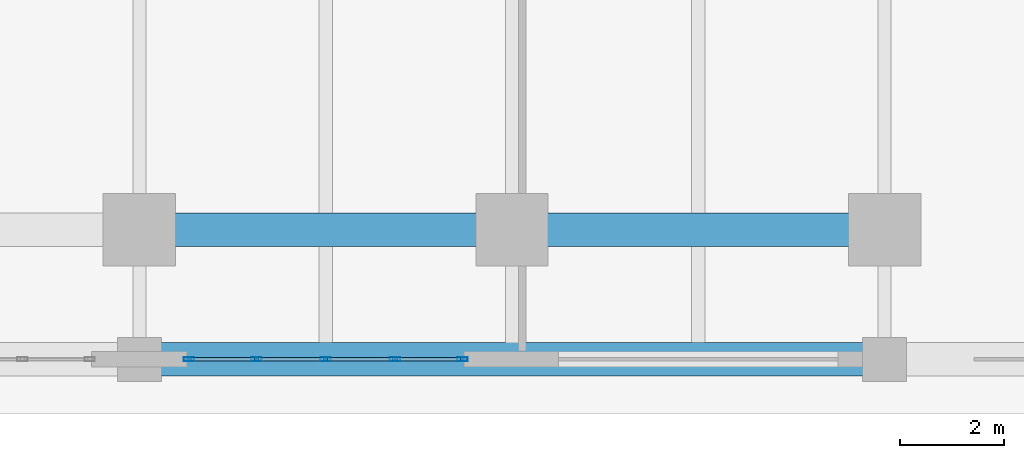
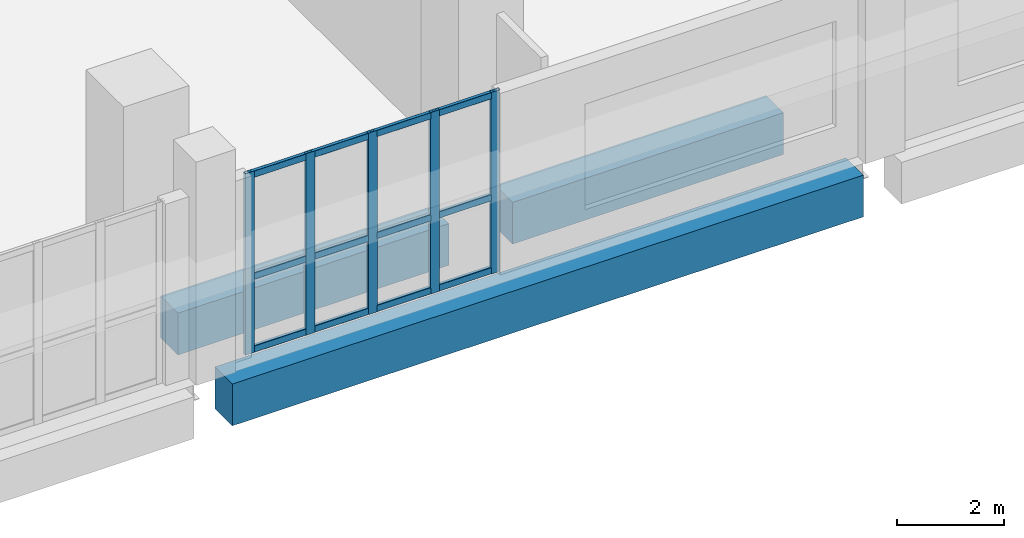
# One storey, part 13 of 25: 17 members, 3 beams, 1 element without a shape of its own.
"""IFC4 building model written with IfcOpenShell, lengths in metres."""

import ifcopenshell
import ifcopenshell.guid

model = None  # the IFC model being written
_history = None  # IfcOwnerHistory: only IFC2X3 demands one
_inside = {}  # id of a spatial element -> (the spatial element, [elements in it])
_under = {}  # id of a project, library or spatial element -> (it, [spatial elements below it])
_declared = {}  # id of a project -> (the project, [libraries it declares])
_typed = {}  # id of a type object -> (the type object, [elements of that type])
_made_of = {}  # id of a material, layer set ... -> (it, [elements and type objects made of it])


def new_model(schema):
    """Start an empty IFC model of exactly this schema.

    Asked for "IFC4X3", IfcOpenShell would pick the latest addendum, in which some entities
    have other attributes; the version numbers below select the first issue.
    IFC2X3 requires an IfcOwnerHistory on every rooted entity: one is made here for all.
    """
    global model, _history
    if schema == "IFC4X3":
        model = ifcopenshell.file(schema_version=(4, 3, 0, 0))
    else:
        model = ifcopenshell.file(schema=schema)
    _inside.clear()
    _under.clear()
    _declared.clear()
    _typed.clear()
    _made_of.clear()
    _history = None
    if model.schema == "IFC2X3":
        org = make("IfcOrganization", Name="unknown")
        user = make(
            "IfcPersonAndOrganization",
            ThePerson=make("IfcPerson", FamilyName="unknown"),
            TheOrganization=org,
        )
        app = make(
            "IfcApplication",
            ApplicationDeveloper=org,
            Version="unknown",
            ApplicationFullName="unknown",
            ApplicationIdentifier="unknown",
        )
        _history = make(
            "IfcOwnerHistory",
            OwningUser=user,
            OwningApplication=app,
            ChangeAction="ADDED",
            CreationDate=0,
        )
    return model


def make(cls, **values):
    """One entity of the class cls with the attributes given. An attribute that is None is left unset."""
    return model.create_entity(
        cls, **{name: value for name, value in values.items() if value is not None}
    )


def rooted(cls, **values):
    """An entity with a GlobalId (a new one), such as an element, a storey or a relation."""
    return make(cls, GlobalId=ifcopenshell.guid.new(), OwnerHistory=_history, **values)


def si_unit(unit_type, name, prefix=None):
    """IfcSIUnit, for example si_unit("LENGTHUNIT", "METRE", prefix="MILLI")."""
    return make("IfcSIUnit", UnitType=unit_type, Prefix=prefix, Name=name)


def assignment(units):
    """IfcUnitAssignment: the units of a project."""
    return None if units is None else make("IfcUnitAssignment", Units=units)


def point(xyz):
    """IfcCartesianPoint."""
    return None if xyz is None else make("IfcCartesianPoint", Coordinates=xyz)


def direction(xyz):
    """IfcDirection."""
    return None if xyz is None else make("IfcDirection", DirectionRatios=xyz)


def frame(location, z_axis=None, x_axis=None):
    """IfcAxis2Placement3D, a coordinate frame: its origin and axes. An axis left out is left unset."""
    return make(
        "IfcAxis2Placement3D",
        Location=point(location),
        Axis=direction(z_axis),
        RefDirection=direction(x_axis),
    )


def frame_2d(location, x_axis=None):
    """IfcAxis2Placement2D, a coordinate frame in the plane: its origin and x axis."""
    return make(
        "IfcAxis2Placement2D", Location=point(location), RefDirection=direction(x_axis)
    )


def origin():
    """The frame at (0, 0, 0) with its axes left unset."""
    return frame((0.0, 0.0, 0.0))


def origin_2d():
    """The frame at (0, 0) in the plane with its x axis left unset."""
    return frame_2d((0.0, 0.0))


def place(relative_to, where):
    """IfcLocalPlacement: puts the frame where relative to a parent placement (None: the world)."""
    return make(
        "IfcLocalPlacement", PlacementRelTo=relative_to, RelativePlacement=where
    )


def context(
    kind, dimensions, precision=None, world=None, true_north=None, identifier=None
):
    """IfcGeometricRepresentationContext, for example the 3D "Model" context."""
    return make(
        "IfcGeometricRepresentationContext",
        ContextIdentifier=identifier,
        ContextType=kind,
        CoordinateSpaceDimension=dimensions,
        Precision=precision,
        WorldCoordinateSystem=world,
        TrueNorth=true_north,
    )


def subcontext(parent, identifier, kind, view, scale=None):
    """IfcGeometricRepresentationSubContext, for example "Body" below "Model"."""
    return make(
        "IfcGeometricRepresentationSubContext",
        ContextIdentifier=identifier,
        ContextType=kind,
        ParentContext=parent,
        TargetScale=scale,
        TargetView=view,
    )


def project(units=None, contexts=None):
    """IfcProject with its units and contexts."""
    return rooted(
        "IfcProject",
        Name="project",
        RepresentationContexts=contexts,
        UnitsInContext=assignment(units),
    )


def spatial(cls, under=None, at=None, **own):
    """A site, building, storey or space (cls), placed at a placement, below another one or the project."""
    s = rooted(cls, ObjectPlacement=at, **own)
    if under is not None:
        _under.setdefault(under.id(), (under, []))[1].append(s)
    return s


def profile(cls, at=None, kind="AREA", **sizes):
    """A parametric profile (cls). Its sizes go by their IFC names, for example OverallWidth=200.0."""
    return make(cls, ProfileType=kind, Position=at, **sizes)


def rectangle(**sizes):
    """IfcRectangleProfileDef."""
    return profile("IfcRectangleProfileDef", **sizes)


def hollow_rectangle(**sizes):
    """IfcRectangleHollowProfileDef."""
    return profile("IfcRectangleHollowProfileDef", **sizes)


def extrude(swept, where, along, depth):
    """IfcExtrudedAreaSolid: the profile swept, set in the frame where, extruded along a direction by depth."""
    return make(
        "IfcExtrudedAreaSolid",
        SweptArea=swept,
        Position=where,
        ExtrudedDirection=direction(along),
        Depth=depth,
    )


def shape(context_of_items, identifier, shape_type, items):
    """IfcShapeRepresentation: the items that make up one representation, for example the "Body"."""
    return make(
        "IfcShapeRepresentation",
        ContextOfItems=context_of_items,
        RepresentationIdentifier=identifier,
        RepresentationType=shape_type,
        Items=items,
    )


def material(Name=None, Category=None):
    """IfcMaterial."""
    return make("IfcMaterial", Name=Name, Category=Category)


def layer(
    of_material, thickness, ventilated=None, Name=None, Category=None, Priority=None
):
    """IfcMaterialLayer: one layer of a wall or slab, of a material (None: an air gap)."""
    return make(
        "IfcMaterialLayer",
        Material=of_material,
        LayerThickness=thickness,
        IsVentilated=ventilated,
        Name=Name,
        Category=Category,
        Priority=Priority,
    )


def layer_set(layers, Name=None):
    """IfcMaterialLayerSet."""
    return make("IfcMaterialLayerSet", MaterialLayers=layers, LayerSetName=Name)


def material_profile(
    of_material, cross_section, Name=None, Category=None, Priority=None
):
    """IfcMaterialProfile: a cross section and its material."""
    return make(
        "IfcMaterialProfile",
        Name=Name,
        Material=of_material,
        Profile=cross_section,
        Priority=Priority,
        Category=Category,
    )


def profile_set(profiles, Name=None, composite=None):
    """IfcMaterialProfileSet."""
    return make(
        "IfcMaterialProfileSet",
        Name=Name,
        MaterialProfiles=profiles,
        CompositeProfile=composite,
    )


def made_of(thing, what):
    """Note that an element or type object is made of a material, layer set ...; save() writes the relation."""
    if what is not None:
        _made_of.setdefault(what.id(), (what, []))[1].append(thing)
    return thing


def type_object(cls, material=None, **own):
    """A type object (cls), such as IfcWallType, which elements share."""
    return made_of(rooted(cls, **own), material)


def element(
    cls,
    number,
    at=None,
    inside=None,
    cuts=None,
    type_object=None,
    material=None,
    context=None,
    identifier="Body",
    shape_type=None,
    held_by="IfcProductDefinitionShape",
    body=None,
    shapes=None,
    **own,
):
    """One element of the class cls, such as IfcWall. Its Tag is "e" and its number.

    at: its placement. inside: the storey or other place that contains it. cuts: it is an
    opening in that element (IfcRelVoidsElement). A single representation is given by context,
    identifier, shape_type and body (its items); several are given by shapes. held_by: the class
    of the entity that holds the representations. save() writes the other relations.
    """
    e = rooted(cls, Tag="e%d" % number, ObjectPlacement=at, **own)
    if body is not None:
        shapes = [shape(context, identifier, shape_type, body)]
    if shapes is not None:
        e.Representation = make(held_by, Representations=shapes)
    if inside is not None:
        _inside.setdefault(inside.id(), (inside, []))[1].append(e)
    if cuts is not None:
        rooted(
            "IfcRelVoidsElement", RelatingBuildingElement=cuts, RelatedOpeningElement=e
        )
    if type_object is not None:
        _typed.setdefault(type_object.id(), (type_object, []))[1].append(e)
    return made_of(e, material)


def aggregate(whole, parts):
    """IfcRelAggregates: a whole, such as a stair, and the parts it consists of."""
    return rooted("IfcRelAggregates", RelatingObject=whole, RelatedObjects=parts)


def save(model, path):
    """Write the relations noted so far, then the file.

    IfcRelAggregates (storeys below a building ...), IfcRelContainedInSpatialStructure (elements
    in a storey), IfcRelDefinesByType, IfcRelAssociatesMaterial and IfcRelDeclares: one each for
    every whole, place, type object, material and project.
    """
    for whole, parts in _under.values():
        aggregate(whole, parts)
    for where, things in _inside.values():
        rooted(
            "IfcRelContainedInSpatialStructure",
            RelatedElements=things,
            RelatingStructure=where,
        )
    for kind, things in _typed.values():
        rooted("IfcRelDefinesByType", RelatedObjects=things, RelatingType=kind)
    for what, things in _made_of.values():
        rooted("IfcRelAssociatesMaterial", RelatedObjects=things, RelatingMaterial=what)
    for by, libraries in _declared.values():
        rooted("IfcRelDeclares", RelatingContext=by, RelatedDefinitions=libraries)
    model.write(path)


model = new_model("IFC4")

# Units and contexts
model_context = context("Model", 3, precision=1e-05, world=origin(), true_north=direction((0.0, 1.0)))
body_context = subcontext(model_context, "Body", "Model", "MODEL_VIEW")
ifc_project = project(units=[si_unit("LENGTHUNIT", "METRE"), si_unit("AREAUNIT", "SQUARE_METRE"), si_unit("VOLUMEUNIT", "CUBIC_METRE"), si_unit("PLANEANGLEUNIT", "RADIAN"), si_unit("MASSUNIT", "GRAM", prefix="KILO")], contexts=[model_context])

# Site, building, storey
site_placement = place(None, origin())
site = spatial("IfcSite", under=ifc_project, at=site_placement, CompositionType="ELEMENT")
building_placement = place(site_placement, origin())
building = spatial("IfcBuilding", under=site, at=building_placement, Name="Kaelvorn Grand Hotel", CompositionType="ELEMENT")
storey_placement = place(building_placement, frame((0.0, 0.0, 14.0)))
storey = spatial("IfcBuildingStorey", under=building, at=storey_placement, Name="L02", CompositionType="ELEMENT", Elevation=14.0)

# Beams
ifc_material_1 = material(Name="Concrete C60/75", Category="concrete")
ifc_material_profile_1 = material_profile(ifc_material_1, rectangle(XDim=0.64990234375, YDim=0.949951171875, at=origin_2d()), Name="RC SPANDREL 650x950")
ifc_profile_set_1 = profile_set([ifc_material_profile_1], Name="Concrete C60/75")
beam_type = type_object("IfcBeamType", Name="BM-SP-650x950-C60", PredefinedType="SPANDREL", material=ifc_profile_set_1)
beam_1_placement = place(storey_placement, frame((61.010009765625, -2.5, -0.794921875), z_axis=(1.0, 0.0, 0.0), x_axis=(0.0, 1.0, 0.0)))
element("IfcBeam", 1, at=beam_1_placement, inside=storey, type_object=beam_type, Name="L02 South Perimeter Spandrel 06", PredefinedType="SPANDREL", context=body_context, shape_type="SweptSolid", body=[
    extrude(rectangle(XDim=0.64990234375, YDim=0.949951171875, at=origin_2d()), origin(), (0.0, 0.0, 1.0), 13.580078125),
])
beam_2_placement = place(storey_placement, frame((61.284912109375, 0.0, -0.794921875), z_axis=(1.0, 0.0, 0.0), x_axis=(0.0, 1.0, 0.0)))
element("IfcBeam", 2, at=beam_2_placement, inside=storey, type_object=beam_type, Name="L02 Tower Line South Girder 08", PredefinedType="SPANDREL", context=body_context, shape_type="SweptSolid", body=[
    extrude(rectangle(XDim=0.64990234375, YDim=0.949951171875, at=origin_2d()), origin(), (0.0, 0.0, 1.0), 5.830078125),
])
beam_3_placement = place(storey_placement, frame((68.485107421875, 0.0, -0.794921875), z_axis=(1.0, 0.0, 0.0), x_axis=(0.0, 1.0, 0.0)))
element("IfcBeam", 3, at=beam_3_placement, inside=storey, type_object=beam_type, Name="L02 Tower Line South Girder 09", PredefinedType="SPANDREL", context=body_context, shape_type="SweptSolid", body=[
    extrude(rectangle(XDim=0.64990234375, YDim=0.949951171875, at=origin_2d()), origin(), (0.0, 0.0, 1.0), 5.829833984375),
])

# Curtain wall, members
ifc_material_2 = material(Name="Anodised Aluminium", Category="aluminium")
ifc_layer = layer(ifc_material_2, 0.199951171875)
ifc_layer_set = layer_set([ifc_layer], Name="Anodised Aluminium")
curtain_wall_type = type_object("IfcCurtainWallType", Name="CW-SYS2", PredefinedType="NOTDEFINED", material=ifc_layer_set)
curtain_wall_placement = place(storey_placement, origin())
curtain_wall = element("IfcCurtainWall", 4, at=curtain_wall_placement, inside=storey, type_object=curtain_wall_type, Name="L02 Unitised Curtain Wall CW2 (CW-L02-S-07)", PredefinedType="NOTDEFINED")
ifc_material_profile_2 = material_profile(ifc_material_2, hollow_rectangle(XDim=0.074951171875, YDim=0.199951171875, WallThickness=0.00390625, InnerFilletRadius=0.00390625, OuterFilletRadius=0.008056640625, at=origin_2d()), Name="ALU MULL 75x200")
ifc_profile_set_2 = profile_set([ifc_material_profile_2], Name="Anodised Aluminium")
member_type_1 = type_object("IfcMemberType", Name="CW-SYS2-MULL", PredefinedType="MULLION", material=ifc_profile_set_2)
member_1_placement = place(storey_placement, frame((61.5576171875, -2.5, 0.0), z_axis=(0.0, 0.0, 1.0), x_axis=(0.0, 1.0, 0.0)))
member_1 = element("IfcMember", 5, at=member_1_placement, type_object=member_type_1, Name="CW2 mullion 1", PredefinedType="MULLION", context=body_context, shape_type="SweptSolid", body=[
    extrude(hollow_rectangle(XDim=0.074951171875, YDim=0.199951171875, WallThickness=0.00390625, InnerFilletRadius=0.00390625, OuterFilletRadius=0.008056640625, at=origin_2d()), origin(), (0.0, 0.0, 1.0), 4.1298828125),
])
member_2_placement = place(storey_placement, frame((62.860107421875, -2.5, 0.0), z_axis=(0.0, 0.0, 1.0), x_axis=(0.0, 1.0, 0.0)))
member_2 = element("IfcMember", 6, at=member_2_placement, type_object=member_type_1, Name="CW2 mullion 2", PredefinedType="MULLION", context=body_context, shape_type="SweptSolid", body=[
    extrude(hollow_rectangle(XDim=0.074951171875, YDim=0.199951171875, WallThickness=0.00390625, InnerFilletRadius=0.00390625, OuterFilletRadius=0.008056640625, at=origin_2d()), origin(), (0.0, 0.0, 1.0), 4.1298828125),
])
member_3_placement = place(storey_placement, frame((64.199951171875, -2.5, 0.0), z_axis=(0.0, 0.0, 1.0), x_axis=(0.0, 1.0, 0.0)))
member_3 = element("IfcMember", 7, at=member_3_placement, type_object=member_type_1, Name="CW2 mullion 3", PredefinedType="MULLION", context=body_context, shape_type="SweptSolid", body=[
    extrude(hollow_rectangle(XDim=0.074951171875, YDim=0.199951171875, WallThickness=0.00390625, InnerFilletRadius=0.00390625, OuterFilletRadius=0.008056640625, at=origin_2d()), origin(), (0.0, 0.0, 1.0), 4.1298828125),
])
member_4_placement = place(storey_placement, frame((65.5400390625, -2.5, 0.0), z_axis=(0.0, 0.0, 1.0), x_axis=(0.0, 1.0, 0.0)))
member_4 = element("IfcMember", 8, at=member_4_placement, type_object=member_type_1, Name="CW2 mullion 4", PredefinedType="MULLION", context=body_context, shape_type="SweptSolid", body=[
    extrude(hollow_rectangle(XDim=0.074951171875, YDim=0.199951171875, WallThickness=0.00390625, InnerFilletRadius=0.00390625, OuterFilletRadius=0.008056640625, at=origin_2d()), origin(), (0.0, 0.0, 1.0), 4.1298828125),
])
member_5_placement = place(storey_placement, frame((66.842529296875, -2.5, 0.0), z_axis=(0.0, 0.0, 1.0), x_axis=(0.0, 1.0, 0.0)))
member_5 = element("IfcMember", 9, at=member_5_placement, type_object=member_type_1, Name="CW2 mullion 5", PredefinedType="MULLION", context=body_context, shape_type="SweptSolid", body=[
    extrude(hollow_rectangle(XDim=0.074951171875, YDim=0.199951171875, WallThickness=0.00390625, InnerFilletRadius=0.00390625, OuterFilletRadius=0.008056640625, at=origin_2d()), origin(), (0.0, 0.0, 1.0), 4.1298828125),
])
ifc_material_profile_3 = material_profile(ifc_material_2, hollow_rectangle(XDim=0.074951171875, YDim=0.14990234375, WallThickness=0.00390625, InnerFilletRadius=0.00390625, OuterFilletRadius=0.008056640625, at=origin_2d()), Name="ALU TRAN 75x150")
ifc_profile_set_3 = profile_set([ifc_material_profile_3], Name="Anodised Aluminium")
member_type_2 = type_object("IfcMemberType", Name="CW-SYS2-TRAN", PredefinedType="NOTDEFINED", material=ifc_profile_set_3)
member_6_placement = place(storey_placement, frame((61.594970703125, -2.5, 0.074951171875), z_axis=(1.0, 0.0, 0.0), x_axis=(0.0, 1.0, 0.0)))
member_6 = element("IfcMember", 10, at=member_6_placement, type_object=member_type_2, Name="CW2 transom 1.1", ObjectType="TRANSOM", PredefinedType="USERDEFINED", context=body_context, shape_type="SweptSolid", body=[
    extrude(hollow_rectangle(XDim=0.074951171875, YDim=0.14990234375, WallThickness=0.00390625, InnerFilletRadius=0.00390625, OuterFilletRadius=0.008056640625, at=origin_2d()), origin(), (0.0, 0.0, 1.0), 1.2275390625),
])
member_7_placement = place(storey_placement, frame((61.594970703125, -2.5, 1.734619140625), z_axis=(1.0, 0.0, 0.0), x_axis=(0.0, 1.0, 0.0)))
member_7 = element("IfcMember", 11, at=member_7_placement, type_object=member_type_2, Name="CW2 transom 1.2", ObjectType="TRANSOM", PredefinedType="USERDEFINED", context=body_context, shape_type="SweptSolid", body=[
    extrude(hollow_rectangle(XDim=0.074951171875, YDim=0.14990234375, WallThickness=0.00390625, InnerFilletRadius=0.00390625, OuterFilletRadius=0.008056640625, at=origin_2d()), origin(), (0.0, 0.0, 1.0), 1.2275390625),
])
member_8_placement = place(storey_placement, frame((61.594970703125, -2.5, 4.054931640625), z_axis=(1.0, 0.0, 0.0), x_axis=(0.0, 1.0, 0.0)))
member_8 = element("IfcMember", 12, at=member_8_placement, type_object=member_type_2, Name="CW2 transom 1.3", ObjectType="TRANSOM", PredefinedType="USERDEFINED", context=body_context, shape_type="SweptSolid", body=[
    extrude(hollow_rectangle(XDim=0.074951171875, YDim=0.14990234375, WallThickness=0.00390625, InnerFilletRadius=0.00390625, OuterFilletRadius=0.008056640625, at=origin_2d()), origin(), (0.0, 0.0, 1.0), 1.2275390625),
])
member_9_placement = place(storey_placement, frame((62.8974609375, -2.5, 0.074951171875), z_axis=(1.0, 0.0, 0.0), x_axis=(0.0, 1.0, 0.0)))
member_9 = element("IfcMember", 13, at=member_9_placement, type_object=member_type_2, Name="CW2 transom 2.1", ObjectType="TRANSOM", PredefinedType="USERDEFINED", context=body_context, shape_type="SweptSolid", body=[
    extrude(hollow_rectangle(XDim=0.074951171875, YDim=0.14990234375, WallThickness=0.00390625, InnerFilletRadius=0.00390625, OuterFilletRadius=0.008056640625, at=origin_2d()), origin(), (0.0, 0.0, 1.0), 1.26513671875),
])
member_10_placement = place(storey_placement, frame((62.8974609375, -2.5, 1.734619140625), z_axis=(1.0, 0.0, 0.0), x_axis=(0.0, 1.0, 0.0)))
member_10 = element("IfcMember", 14, at=member_10_placement, type_object=member_type_2, Name="CW2 transom 2.2", ObjectType="TRANSOM", PredefinedType="USERDEFINED", context=body_context, shape_type="SweptSolid", body=[
    extrude(hollow_rectangle(XDim=0.074951171875, YDim=0.14990234375, WallThickness=0.00390625, InnerFilletRadius=0.00390625, OuterFilletRadius=0.008056640625, at=origin_2d()), origin(), (0.0, 0.0, 1.0), 1.26513671875),
])
member_11_placement = place(storey_placement, frame((62.8974609375, -2.5, 4.054931640625), z_axis=(1.0, 0.0, 0.0), x_axis=(0.0, 1.0, 0.0)))
member_11 = element("IfcMember", 15, at=member_11_placement, type_object=member_type_2, Name="CW2 transom 2.3", ObjectType="TRANSOM", PredefinedType="USERDEFINED", context=body_context, shape_type="SweptSolid", body=[
    extrude(hollow_rectangle(XDim=0.074951171875, YDim=0.14990234375, WallThickness=0.00390625, InnerFilletRadius=0.00390625, OuterFilletRadius=0.008056640625, at=origin_2d()), origin(), (0.0, 0.0, 1.0), 1.26513671875),
])
member_12_placement = place(storey_placement, frame((64.237548828125, -2.5, 0.074951171875), z_axis=(1.0, 0.0, 0.0), x_axis=(0.0, 1.0, 0.0)))
member_12 = element("IfcMember", 16, at=member_12_placement, type_object=member_type_2, Name="CW2 transom 3.1", ObjectType="TRANSOM", PredefinedType="USERDEFINED", context=body_context, shape_type="SweptSolid", body=[
    extrude(hollow_rectangle(XDim=0.074951171875, YDim=0.14990234375, WallThickness=0.00390625, InnerFilletRadius=0.00390625, OuterFilletRadius=0.008056640625, at=origin_2d()), origin(), (0.0, 0.0, 1.0), 1.264892578125),
])
member_13_placement = place(storey_placement, frame((64.237548828125, -2.5, 1.734619140625), z_axis=(1.0, 0.0, 0.0), x_axis=(0.0, 1.0, 0.0)))
member_13 = element("IfcMember", 17, at=member_13_placement, type_object=member_type_2, Name="CW2 transom 3.2", ObjectType="TRANSOM", PredefinedType="USERDEFINED", context=body_context, shape_type="SweptSolid", body=[
    extrude(hollow_rectangle(XDim=0.074951171875, YDim=0.14990234375, WallThickness=0.00390625, InnerFilletRadius=0.00390625, OuterFilletRadius=0.008056640625, at=origin_2d()), origin(), (0.0, 0.0, 1.0), 1.264892578125),
])
member_14_placement = place(storey_placement, frame((64.237548828125, -2.5, 4.054931640625), z_axis=(1.0, 0.0, 0.0), x_axis=(0.0, 1.0, 0.0)))
member_14 = element("IfcMember", 18, at=member_14_placement, type_object=member_type_2, Name="CW2 transom 3.3", ObjectType="TRANSOM", PredefinedType="USERDEFINED", context=body_context, shape_type="SweptSolid", body=[
    extrude(hollow_rectangle(XDim=0.074951171875, YDim=0.14990234375, WallThickness=0.00390625, InnerFilletRadius=0.00390625, OuterFilletRadius=0.008056640625, at=origin_2d()), origin(), (0.0, 0.0, 1.0), 1.264892578125),
])
member_15_placement = place(storey_placement, frame((65.577392578125, -2.5, 0.074951171875), z_axis=(1.0, 0.0, 0.0), x_axis=(0.0, 1.0, 0.0)))
member_15 = element("IfcMember", 19, at=member_15_placement, type_object=member_type_2, Name="CW2 transom 4.1", ObjectType="TRANSOM", PredefinedType="USERDEFINED", context=body_context, shape_type="SweptSolid", body=[
    extrude(hollow_rectangle(XDim=0.074951171875, YDim=0.14990234375, WallThickness=0.00390625, InnerFilletRadius=0.00390625, OuterFilletRadius=0.008056640625, at=origin_2d()), origin(), (0.0, 0.0, 1.0), 1.2275390625),
])
member_16_placement = place(storey_placement, frame((65.577392578125, -2.5, 1.734619140625), z_axis=(1.0, 0.0, 0.0), x_axis=(0.0, 1.0, 0.0)))
member_16 = element("IfcMember", 20, at=member_16_placement, type_object=member_type_2, Name="CW2 transom 4.2", ObjectType="TRANSOM", PredefinedType="USERDEFINED", context=body_context, shape_type="SweptSolid", body=[
    extrude(hollow_rectangle(XDim=0.074951171875, YDim=0.14990234375, WallThickness=0.00390625, InnerFilletRadius=0.00390625, OuterFilletRadius=0.008056640625, at=origin_2d()), origin(), (0.0, 0.0, 1.0), 1.2275390625),
])
member_17_placement = place(storey_placement, frame((65.577392578125, -2.5, 4.054931640625), z_axis=(1.0, 0.0, 0.0), x_axis=(0.0, 1.0, 0.0)))
member_17 = element("IfcMember", 21, at=member_17_placement, type_object=member_type_2, Name="CW2 transom 4.3", ObjectType="TRANSOM", PredefinedType="USERDEFINED", context=body_context, shape_type="SweptSolid", body=[
    extrude(hollow_rectangle(XDim=0.074951171875, YDim=0.14990234375, WallThickness=0.00390625, InnerFilletRadius=0.00390625, OuterFilletRadius=0.008056640625, at=origin_2d()), origin(), (0.0, 0.0, 1.0), 1.2275390625),
])
aggregate(curtain_wall, [member_1, member_2, member_3, member_4, member_5, member_6, member_7, member_8, member_9, member_10, member_11, member_12, member_13, member_14, member_15, member_16, member_17])

save(model, "model.ifc")
